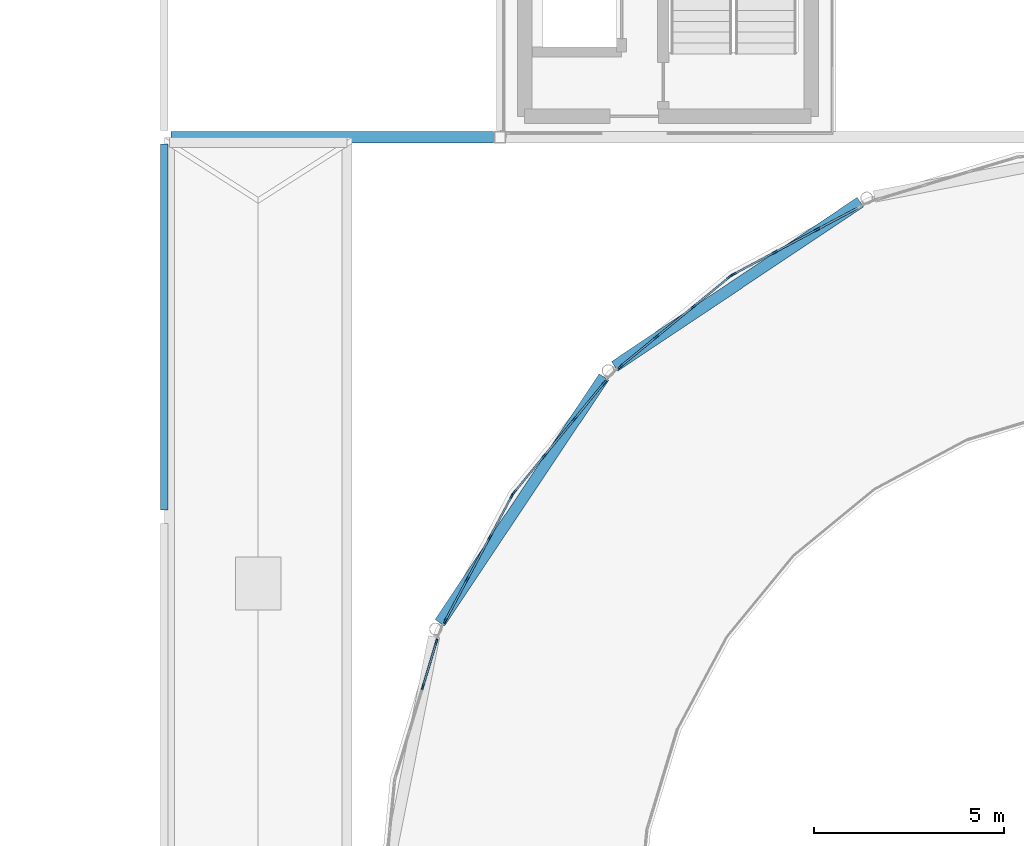
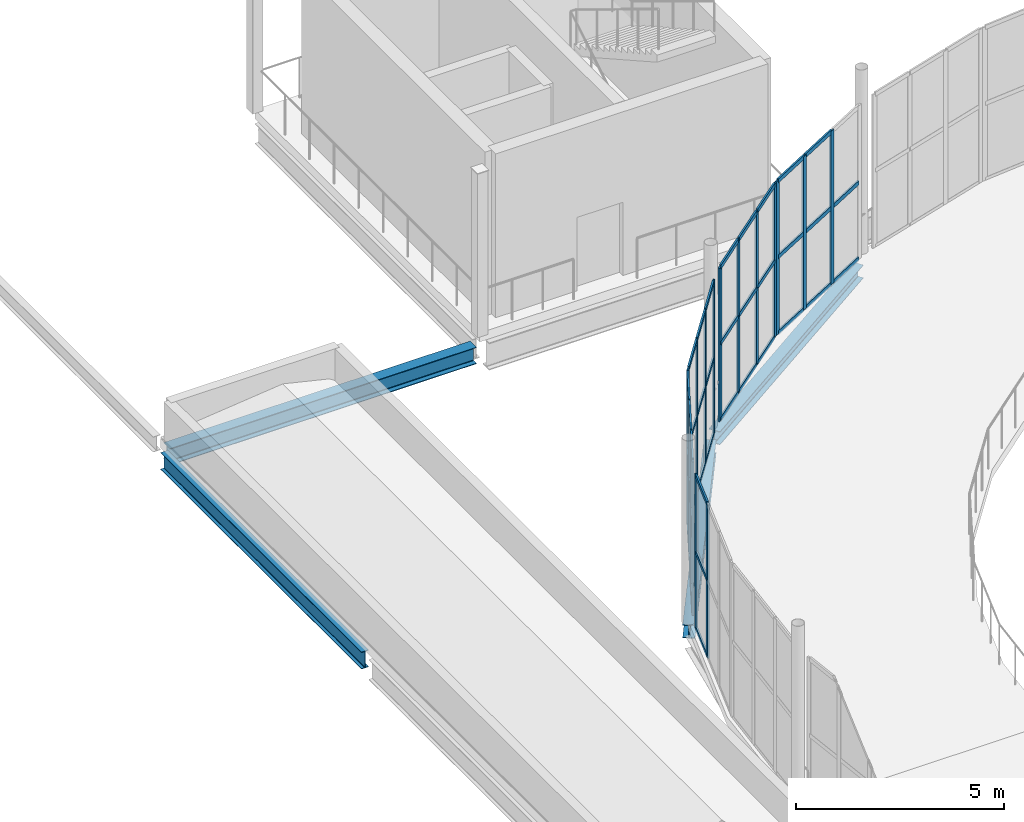
# One storey, part 38 of 112: 55 members, 4 beams, 5 elements without a shape of their own.
"""IFC4 building model written with IfcOpenShell, lengths in metres."""

import ifcopenshell
import ifcopenshell.guid

model = None  # the IFC model being written
_history = None  # IfcOwnerHistory: only IFC2X3 demands one
_inside = {}  # id of a spatial element -> (the spatial element, [elements in it])
_under = {}  # id of a project, library or spatial element -> (it, [spatial elements below it])
_declared = {}  # id of a project -> (the project, [libraries it declares])
_typed = {}  # id of a type object -> (the type object, [elements of that type])
_made_of = {}  # id of a material, layer set ... -> (it, [elements and type objects made of it])


def new_model(schema):
    """Start an empty IFC model of exactly this schema.

    Asked for "IFC4X3", IfcOpenShell would pick the latest addendum, in which some entities
    have other attributes; the version numbers below select the first issue.
    IFC2X3 requires an IfcOwnerHistory on every rooted entity: one is made here for all.
    """
    global model, _history
    if schema == "IFC4X3":
        model = ifcopenshell.file(schema_version=(4, 3, 0, 0))
    else:
        model = ifcopenshell.file(schema=schema)
    _inside.clear()
    _under.clear()
    _declared.clear()
    _typed.clear()
    _made_of.clear()
    _history = None
    if model.schema == "IFC2X3":
        org = make("IfcOrganization", Name="unknown")
        user = make(
            "IfcPersonAndOrganization",
            ThePerson=make("IfcPerson", FamilyName="unknown"),
            TheOrganization=org,
        )
        app = make(
            "IfcApplication",
            ApplicationDeveloper=org,
            Version="unknown",
            ApplicationFullName="unknown",
            ApplicationIdentifier="unknown",
        )
        _history = make(
            "IfcOwnerHistory",
            OwningUser=user,
            OwningApplication=app,
            ChangeAction="ADDED",
            CreationDate=0,
        )
    return model


def make(cls, **values):
    """One entity of the class cls with the attributes given. An attribute that is None is left unset."""
    return model.create_entity(
        cls, **{name: value for name, value in values.items() if value is not None}
    )


def rooted(cls, **values):
    """An entity with a GlobalId (a new one), such as an element, a storey or a relation."""
    return make(cls, GlobalId=ifcopenshell.guid.new(), OwnerHistory=_history, **values)


def si_unit(unit_type, name, prefix=None):
    """IfcSIUnit, for example si_unit("LENGTHUNIT", "METRE", prefix="MILLI")."""
    return make("IfcSIUnit", UnitType=unit_type, Prefix=prefix, Name=name)


def assignment(units):
    """IfcUnitAssignment: the units of a project."""
    return None if units is None else make("IfcUnitAssignment", Units=units)


def point(xyz):
    """IfcCartesianPoint."""
    return None if xyz is None else make("IfcCartesianPoint", Coordinates=xyz)


def direction(xyz):
    """IfcDirection."""
    return None if xyz is None else make("IfcDirection", DirectionRatios=xyz)


def frame(location, z_axis=None, x_axis=None):
    """IfcAxis2Placement3D, a coordinate frame: its origin and axes. An axis left out is left unset."""
    return make(
        "IfcAxis2Placement3D",
        Location=point(location),
        Axis=direction(z_axis),
        RefDirection=direction(x_axis),
    )


def frame_2d(location, x_axis=None):
    """IfcAxis2Placement2D, a coordinate frame in the plane: its origin and x axis."""
    return make(
        "IfcAxis2Placement2D", Location=point(location), RefDirection=direction(x_axis)
    )


def origin():
    """The frame at (0, 0, 0) with its axes left unset."""
    return frame((0.0, 0.0, 0.0))


def origin_2d():
    """The frame at (0, 0) in the plane with its x axis left unset."""
    return frame_2d((0.0, 0.0))


def place(relative_to, where):
    """IfcLocalPlacement: puts the frame where relative to a parent placement (None: the world)."""
    return make(
        "IfcLocalPlacement", PlacementRelTo=relative_to, RelativePlacement=where
    )


def context(
    kind, dimensions, precision=None, world=None, true_north=None, identifier=None
):
    """IfcGeometricRepresentationContext, for example the 3D "Model" context."""
    return make(
        "IfcGeometricRepresentationContext",
        ContextIdentifier=identifier,
        ContextType=kind,
        CoordinateSpaceDimension=dimensions,
        Precision=precision,
        WorldCoordinateSystem=world,
        TrueNorth=true_north,
    )


def subcontext(parent, identifier, kind, view, scale=None):
    """IfcGeometricRepresentationSubContext, for example "Body" below "Model"."""
    return make(
        "IfcGeometricRepresentationSubContext",
        ContextIdentifier=identifier,
        ContextType=kind,
        ParentContext=parent,
        TargetScale=scale,
        TargetView=view,
    )


def project(units=None, contexts=None):
    """IfcProject with its units and contexts."""
    return rooted(
        "IfcProject",
        Name="project",
        RepresentationContexts=contexts,
        UnitsInContext=assignment(units),
    )


def spatial(cls, under=None, at=None, **own):
    """A site, building, storey or space (cls), placed at a placement, below another one or the project."""
    s = rooted(cls, ObjectPlacement=at, **own)
    if under is not None:
        _under.setdefault(under.id(), (under, []))[1].append(s)
    return s


def profile(cls, at=None, kind="AREA", **sizes):
    """A parametric profile (cls). Its sizes go by their IFC names, for example OverallWidth=200.0."""
    return make(cls, ProfileType=kind, Position=at, **sizes)


def rectangle(**sizes):
    """IfcRectangleProfileDef."""
    return profile("IfcRectangleProfileDef", **sizes)


def i_section(**sizes):
    """IfcIShapeProfileDef."""
    return profile("IfcIShapeProfileDef", **sizes)


def extrude(swept, where, along, depth):
    """IfcExtrudedAreaSolid: the profile swept, set in the frame where, extruded along a direction by depth."""
    return make(
        "IfcExtrudedAreaSolid",
        SweptArea=swept,
        Position=where,
        ExtrudedDirection=direction(along),
        Depth=depth,
    )


def shape(context_of_items, identifier, shape_type, items):
    """IfcShapeRepresentation: the items that make up one representation, for example the "Body"."""
    return make(
        "IfcShapeRepresentation",
        ContextOfItems=context_of_items,
        RepresentationIdentifier=identifier,
        RepresentationType=shape_type,
        Items=items,
    )


def material(Name=None, Category=None):
    """IfcMaterial."""
    return make("IfcMaterial", Name=Name, Category=Category)


def layer(
    of_material, thickness, ventilated=None, Name=None, Category=None, Priority=None
):
    """IfcMaterialLayer: one layer of a wall or slab, of a material (None: an air gap)."""
    return make(
        "IfcMaterialLayer",
        Material=of_material,
        LayerThickness=thickness,
        IsVentilated=ventilated,
        Name=Name,
        Category=Category,
        Priority=Priority,
    )


def layer_set(layers, Name=None):
    """IfcMaterialLayerSet."""
    return make("IfcMaterialLayerSet", MaterialLayers=layers, LayerSetName=Name)


def material_profile(
    of_material, cross_section, Name=None, Category=None, Priority=None
):
    """IfcMaterialProfile: a cross section and its material."""
    return make(
        "IfcMaterialProfile",
        Name=Name,
        Material=of_material,
        Profile=cross_section,
        Priority=Priority,
        Category=Category,
    )


def profile_set(profiles, Name=None, composite=None):
    """IfcMaterialProfileSet."""
    return make(
        "IfcMaterialProfileSet",
        Name=Name,
        MaterialProfiles=profiles,
        CompositeProfile=composite,
    )


def made_of(thing, what):
    """Note that an element or type object is made of a material, layer set ...; save() writes the relation."""
    if what is not None:
        _made_of.setdefault(what.id(), (what, []))[1].append(thing)
    return thing


def type_object(cls, material=None, **own):
    """A type object (cls), such as IfcWallType, which elements share."""
    return made_of(rooted(cls, **own), material)


def element(
    cls,
    number,
    at=None,
    inside=None,
    cuts=None,
    type_object=None,
    material=None,
    context=None,
    identifier="Body",
    shape_type=None,
    held_by="IfcProductDefinitionShape",
    body=None,
    shapes=None,
    **own,
):
    """One element of the class cls, such as IfcWall. Its Tag is "e" and its number.

    at: its placement. inside: the storey or other place that contains it. cuts: it is an
    opening in that element (IfcRelVoidsElement). A single representation is given by context,
    identifier, shape_type and body (its items); several are given by shapes. held_by: the class
    of the entity that holds the representations. save() writes the other relations.
    """
    e = rooted(cls, Tag="e%d" % number, ObjectPlacement=at, **own)
    if body is not None:
        shapes = [shape(context, identifier, shape_type, body)]
    if shapes is not None:
        e.Representation = make(held_by, Representations=shapes)
    if inside is not None:
        _inside.setdefault(inside.id(), (inside, []))[1].append(e)
    if cuts is not None:
        rooted(
            "IfcRelVoidsElement", RelatingBuildingElement=cuts, RelatedOpeningElement=e
        )
    if type_object is not None:
        _typed.setdefault(type_object.id(), (type_object, []))[1].append(e)
    return made_of(e, material)


def aggregate(whole, parts):
    """IfcRelAggregates: a whole, such as a stair, and the parts it consists of."""
    return rooted("IfcRelAggregates", RelatingObject=whole, RelatedObjects=parts)


def save(model, path):
    """Write the relations noted so far, then the file.

    IfcRelAggregates (storeys below a building ...), IfcRelContainedInSpatialStructure (elements
    in a storey), IfcRelDefinesByType, IfcRelAssociatesMaterial and IfcRelDeclares: one each for
    every whole, place, type object, material and project.
    """
    for whole, parts in _under.values():
        aggregate(whole, parts)
    for where, things in _inside.values():
        rooted(
            "IfcRelContainedInSpatialStructure",
            RelatedElements=things,
            RelatingStructure=where,
        )
    for kind, things in _typed.values():
        rooted("IfcRelDefinesByType", RelatedObjects=things, RelatingType=kind)
    for what, things in _made_of.values():
        rooted("IfcRelAssociatesMaterial", RelatedObjects=things, RelatingMaterial=what)
    for by, libraries in _declared.values():
        rooted("IfcRelDeclares", RelatingContext=by, RelatedDefinitions=libraries)
    model.write(path)


model = new_model("IFC4")

# Units and contexts
model_context = context("Model", 3, precision=1e-05, world=origin(), true_north=direction((0.0, 1.0)))
body_context = subcontext(model_context, "Body", "Model", "MODEL_VIEW")
ifc_project = project(units=[si_unit("LENGTHUNIT", "METRE"), si_unit("AREAUNIT", "SQUARE_METRE"), si_unit("VOLUMEUNIT", "CUBIC_METRE"), si_unit("PLANEANGLEUNIT", "RADIAN"), si_unit("MASSUNIT", "GRAM", prefix="KILO")], contexts=[model_context])

# Site, building, storey
site_placement = place(None, origin())
site = spatial("IfcSite", under=ifc_project, at=site_placement, CompositionType="ELEMENT")
building_placement = place(site_placement, origin())
building = spatial("IfcBuilding", under=site, at=building_placement, Name="Yeouljin Market Hall", CompositionType="ELEMENT")
storey_placement = place(building_placement, frame((0.0, 0.0, 6.0)))
storey = spatial("IfcBuildingStorey", under=building, at=storey_placement, Name="L01", CompositionType="ELEMENT", Elevation=6.0)

# Beams
ifc_material_1 = material(Name="Steel SM355", Category="steel")
ifc_material_profile_1 = material_profile(ifc_material_1, i_section(OverallWidth=0.300048828125, OverallDepth=0.389892578125, WebThickness=0.010009765625, FlangeThickness=0.01611328125, FilletRadius=0.01806640625, at=origin_2d()), Name="H-390x300x10x16")
ifc_profile_set_1 = profile_set([ifc_material_profile_1], Name="Steel SM355")
beam_type_1 = type_object("IfcBeamType", Name="Beam_H-390x300x10x16", PredefinedType="BEAM", material=ifc_profile_set_1)
for number, where, z_axis, x_axis, name in (
    (1, (16.111328125, 65.205322265625, -0.43994140625), (0.55559698595, 0.831451735943, 0.0), (-0.831451735943, 0.55559698595, 0.0), "Apse ring beam L01 247"),
    (2, (20.7197265625, 71.962158203125, -0.43994140625), (0.831466218431, 0.555575312274, 0.0), (-0.555575312274, 0.831466218431, 0.0), "Apse ring beam L01 248"),
):
    element("IfcBeam", number, at=place(storey_placement, frame(where, z_axis=z_axis, x_axis=x_axis)), inside=storey, type_object=beam_type_1, Name=name, PredefinedType="BEAM", context=body_context, shape_type="SweptSolid", body=[
        extrude(i_section(OverallWidth=0.300048828125, OverallDepth=0.389892578125, WebThickness=0.010009765625, FlangeThickness=0.01611328125, FilletRadius=0.01806640625, at=origin_2d()), origin(), (0.0, 0.0, 1.0), 7.787353515625),
    ])
ifc_material_2 = material(Name="Steel SM355", Category="steel")
ifc_material_profile_2 = material_profile(ifc_material_2, i_section(OverallWidth=0.199951171875, OverallDepth=0.5, WebThickness=0.010009765625, FlangeThickness=0.01611328125, FilletRadius=0.02001953125, at=origin_2d()), Name="H-500x200x10x16")
ifc_profile_set_2 = profile_set([ifc_material_profile_2], Name="Steel SM355")
beam_type_2 = type_object("IfcBeamType", Name="Beam_H-500x200x10x16", PredefinedType="BEAM", material=ifc_profile_set_2)
beam_1_placement = place(storey_placement, frame((8.85009765625, 68.175048828125, -0.514892578125), z_axis=(0.0, 1.0, 0.0), x_axis=(-1.0, 0.0, 0.0)))
element("IfcBeam", 3, at=beam_1_placement, inside=storey, type_object=beam_type_2, Name="Primary beam BM-L01-Y135", PredefinedType="BEAM", context=body_context, shape_type="SweptSolid", body=[
    extrude(i_section(OverallWidth=0.199951171875, OverallDepth=0.5, WebThickness=0.010009765625, FlangeThickness=0.01611328125, FilletRadius=0.02001953125, at=origin_2d()), origin(), (0.0, 0.0, 1.0), 9.64990234375),
])

# Curtain wall, members
ifc_material_3 = material(Name="Thermally Broken Aluminium", Category="aluminium")
ifc_layer = layer(ifc_material_3, 0.179931640625)
ifc_layer_set = layer_set([ifc_layer], Name="Thermally Broken Aluminium")
curtain_wall_type = type_object("IfcCurtainWallType", Name="CW_ApseCurved_System", PredefinedType="USERDEFINED", material=ifc_layer_set)
curtain_wall_1_placement = place(storey_placement, origin())
curtain_wall_1 = element("IfcCurtainWall", 4, at=curtain_wall_1_placement, inside=storey, type_object=curtain_wall_type, Name="Curtain wall CW-AP-WL01-10", ObjectType="CURTAIN WALL", PredefinedType="USERDEFINED")
ifc_material_4 = material(Name="Thermally Broken Aluminium", Category="aluminium")
ifc_material_profile_3 = material_profile(ifc_material_4, rectangle(XDim=0.048095703125, YDim=0.14990234375, at=origin_2d()), Name="CW-MULL-48x150")
ifc_profile_set_3 = profile_set([ifc_material_profile_3], Name="Thermally Broken Aluminium")
member_type_1 = type_object("IfcMemberType", Name="CWMullion_48x150", PredefinedType="MULLION", material=ifc_profile_set_3)
member_1_placement = place(storey_placement, frame((15.6630859375, 63.51904296875, 0.0), z_axis=(0.0, 0.0, 1.0), x_axis=(-0.95693988447, 0.290286164863, 0.0)))
member_1 = element("IfcMember", 5, at=member_1_placement, type_object=member_type_1, Name="CW-03 mullion 3", PredefinedType="MULLION", context=body_context, shape_type="SweptSolid", body=[
    extrude(rectangle(XDim=0.048095703125, YDim=0.14990234375, at=origin_2d()), origin(), (0.0, 0.0, 1.0), 4.5),
])
member_2_placement = place(storey_placement, frame((16.021240234375, 64.699462890625, 0.0), z_axis=(0.0, 0.0, 1.0), x_axis=(-0.95693988447, 0.290286164863, 0.0)))
member_2 = element("IfcMember", 6, at=member_2_placement, type_object=member_type_1, Name="CW-03 mullion 4", PredefinedType="MULLION", context=body_context, shape_type="SweptSolid", body=[
    extrude(rectangle(XDim=0.048095703125, YDim=0.14990234375, at=origin_2d()), origin(), (0.0, 0.0, 1.0), 4.5),
])

curtain_wall_2_placement = place(storey_placement, origin())
curtain_wall_2 = element("IfcCurtainWall", 7, at=curtain_wall_2_placement, inside=storey, type_object=curtain_wall_type, Name="Curtain wall CW-AP-WL01-11", ObjectType="CURTAIN WALL", PredefinedType="USERDEFINED")
member_3_placement = place(storey_placement, frame((16.252685546875, 65.258544921875, 0.0), z_axis=(0.0, 0.0, 1.0), x_axis=(-0.881931478712, 0.471377626598, 0.0)))
member_3 = element("IfcMember", 8, at=member_3_placement, type_object=member_type_1, Name="CW-03 mullion 1", PredefinedType="MULLION", context=body_context, shape_type="SweptSolid", body=[
    extrude(rectangle(XDim=0.048095703125, YDim=0.14990234375, at=origin_2d()), origin(), (0.0, 0.0, 1.0), 4.5),
])
member_4_placement = place(storey_placement, frame((16.834228515625, 66.346435546875, 0.0), z_axis=(0.0, 0.0, 1.0), x_axis=(-0.881931478712, 0.471377626598, 0.0)))
member_4 = element("IfcMember", 9, at=member_4_placement, type_object=member_type_1, Name="CW-03 mullion 2", PredefinedType="MULLION", context=body_context, shape_type="SweptSolid", body=[
    extrude(rectangle(XDim=0.048095703125, YDim=0.14990234375, at=origin_2d()), origin(), (0.0, 0.0, 1.0), 4.5),
])
member_5_placement = place(storey_placement, frame((17.42724609375, 67.455810546875, 0.0), z_axis=(0.0, 0.0, 1.0), x_axis=(-0.881931478712, 0.471377626598, 0.0)))
member_5 = element("IfcMember", 10, at=member_5_placement, type_object=member_type_1, Name="CW-03 mullion 3", PredefinedType="MULLION", context=body_context, shape_type="SweptSolid", body=[
    extrude(rectangle(XDim=0.048095703125, YDim=0.14990234375, at=origin_2d()), origin(), (0.0, 0.0, 1.0), 4.5),
])
member_6_placement = place(storey_placement, frame((18.0087890625, 68.5439453125, 0.0), z_axis=(0.0, 0.0, 1.0), x_axis=(-0.881931478712, 0.471377626598, 0.0)))
member_6 = element("IfcMember", 11, at=member_6_placement, type_object=member_type_1, Name="CW-03 mullion 4", PredefinedType="MULLION", context=body_context, shape_type="SweptSolid", body=[
    extrude(rectangle(XDim=0.048095703125, YDim=0.14990234375, at=origin_2d()), origin(), (0.0, 0.0, 1.0), 4.5),
])

curtain_wall_3_placement = place(storey_placement, origin())
curtain_wall_3 = element("IfcCurtainWall", 12, at=curtain_wall_3_placement, inside=storey, type_object=curtain_wall_type, Name="Curtain wall CW-AP-WL01-12", ObjectType="CURTAIN WALL", PredefinedType="USERDEFINED")
member_7_placement = place(storey_placement, frame((18.07958984375, 68.649658203125, 0.0), z_axis=(0.0, 0.0, 1.0), x_axis=(-0.773017717982, 0.634384432096, 0.0)))
member_7 = element("IfcMember", 13, at=member_7_placement, type_object=member_type_1, Name="CW-03 mullion 1", PredefinedType="MULLION", context=body_context, shape_type="SweptSolid", body=[
    extrude(rectangle(XDim=0.048095703125, YDim=0.14990234375, at=origin_2d()), origin(), (0.0, 0.0, 1.0), 4.5),
])
member_8_placement = place(storey_placement, frame((18.8623046875, 69.603515625, 0.0), z_axis=(0.0, 0.0, 1.0), x_axis=(-0.773017717982, 0.634384432096, 0.0)))
member_8 = element("IfcMember", 14, at=member_8_placement, type_object=member_type_1, Name="CW-03 mullion 2", PredefinedType="MULLION", context=body_context, shape_type="SweptSolid", body=[
    extrude(rectangle(XDim=0.048095703125, YDim=0.14990234375, at=origin_2d()), origin(), (0.0, 0.0, 1.0), 4.5),
])
member_9_placement = place(storey_placement, frame((19.66015625, 70.57568359375, 0.0), z_axis=(0.0, 0.0, 1.0), x_axis=(-0.773017717982, 0.634384432096, 0.0)))
member_9 = element("IfcMember", 15, at=member_9_placement, type_object=member_type_1, Name="CW-03 mullion 3", PredefinedType="MULLION", context=body_context, shape_type="SweptSolid", body=[
    extrude(rectangle(XDim=0.048095703125, YDim=0.14990234375, at=origin_2d()), origin(), (0.0, 0.0, 1.0), 4.5),
])
member_10_placement = place(storey_placement, frame((20.44287109375, 71.529541015625, 0.0), z_axis=(0.0, 0.0, 1.0), x_axis=(-0.773017717982, 0.634384432096, 0.0)))
member_10 = element("IfcMember", 16, at=member_10_placement, type_object=member_type_1, Name="CW-03 mullion 4", PredefinedType="MULLION", context=body_context, shape_type="SweptSolid", body=[
    extrude(rectangle(XDim=0.048095703125, YDim=0.14990234375, at=origin_2d()), origin(), (0.0, 0.0, 1.0), 4.5),
])

curtain_wall_4_placement = place(storey_placement, origin())
curtain_wall_4 = element("IfcCurtainWall", 17, at=curtain_wall_4_placement, inside=storey, type_object=curtain_wall_type, Name="Curtain wall CW-AP-WL01-13", ObjectType="CURTAIN WALL", PredefinedType="USERDEFINED")
member_11_placement = place(storey_placement, frame((20.87060546875, 71.957275390625, 0.0), z_axis=(0.0, 0.0, 1.0), x_axis=(-0.634384432096, 0.773017717982, 0.0)))
member_11 = element("IfcMember", 18, at=member_11_placement, type_object=member_type_1, Name="CW-03 mullion 1", PredefinedType="MULLION", context=body_context, shape_type="SweptSolid", body=[
    extrude(rectangle(XDim=0.048095703125, YDim=0.14990234375, at=origin_2d()), origin(), (0.0, 0.0, 1.0), 4.5),
])
member_12_placement = place(storey_placement, frame((21.82421875, 72.739990234375, 0.0), z_axis=(0.0, 0.0, 1.0), x_axis=(-0.634384432096, 0.773017717982, 0.0)))
member_12 = element("IfcMember", 19, at=member_12_placement, type_object=member_type_1, Name="CW-03 mullion 2", PredefinedType="MULLION", context=body_context, shape_type="SweptSolid", body=[
    extrude(rectangle(XDim=0.048095703125, YDim=0.14990234375, at=origin_2d()), origin(), (0.0, 0.0, 1.0), 4.5),
])
member_13_placement = place(storey_placement, frame((22.796630859375, 73.537841796875, 0.0), z_axis=(0.0, 0.0, 1.0), x_axis=(-0.634384432096, 0.773017717982, 0.0)))
member_13 = element("IfcMember", 20, at=member_13_placement, type_object=member_type_1, Name="CW-03 mullion 3", PredefinedType="MULLION", context=body_context, shape_type="SweptSolid", body=[
    extrude(rectangle(XDim=0.048095703125, YDim=0.14990234375, at=origin_2d()), origin(), (0.0, 0.0, 1.0), 4.5),
])
member_14_placement = place(storey_placement, frame((23.750244140625, 74.320556640625, 0.0), z_axis=(0.0, 0.0, 1.0), x_axis=(-0.634384432096, 0.773017717982, 0.0)))
member_14 = element("IfcMember", 21, at=member_14_placement, type_object=member_type_1, Name="CW-03 mullion 4", PredefinedType="MULLION", context=body_context, shape_type="SweptSolid", body=[
    extrude(rectangle(XDim=0.048095703125, YDim=0.14990234375, at=origin_2d()), origin(), (0.0, 0.0, 1.0), 4.5),
])

curtain_wall_5_placement = place(storey_placement, origin())
curtain_wall_5 = element("IfcCurtainWall", 22, at=curtain_wall_5_placement, inside=storey, type_object=curtain_wall_type, Name="Curtain wall CW-AP-WL01-14", ObjectType="CURTAIN WALL", PredefinedType="USERDEFINED")
member_15_placement = place(storey_placement, frame((23.856201171875, 74.391357421875, 0.0), z_axis=(0.0, 0.0, 1.0), x_axis=(-0.471377626598, 0.881931478712, 0.0)))
member_15 = element("IfcMember", 23, at=member_15_placement, type_object=member_type_1, Name="CW-03 mullion 1", PredefinedType="MULLION", context=body_context, shape_type="SweptSolid", body=[
    extrude(rectangle(XDim=0.048095703125, YDim=0.14990234375, at=origin_2d()), origin(), (0.0, 0.0, 1.0), 4.5),
])
member_16_placement = place(storey_placement, frame((24.9443359375, 74.972900390625, 0.0), z_axis=(0.0, 0.0, 1.0), x_axis=(-0.471377626598, 0.881931478712, 0.0)))
member_16 = element("IfcMember", 24, at=member_16_placement, type_object=member_type_1, Name="CW-03 mullion 2", PredefinedType="MULLION", context=body_context, shape_type="SweptSolid", body=[
    extrude(rectangle(XDim=0.048095703125, YDim=0.14990234375, at=origin_2d()), origin(), (0.0, 0.0, 1.0), 4.5),
])
member_17_placement = place(storey_placement, frame((26.053466796875, 75.565673828125, 0.0), z_axis=(0.0, 0.0, 1.0), x_axis=(-0.471377626598, 0.881931478712, 0.0)))
member_17 = element("IfcMember", 25, at=member_17_placement, type_object=member_type_1, Name="CW-03 mullion 3", PredefinedType="MULLION", context=body_context, shape_type="SweptSolid", body=[
    extrude(rectangle(XDim=0.048095703125, YDim=0.14990234375, at=origin_2d()), origin(), (0.0, 0.0, 1.0), 4.5),
])

# Member
ifc_material_5 = material(Name="Thermally Broken Aluminium", Category="aluminium")
ifc_material_profile_4 = material_profile(ifc_material_5, rectangle(XDim=0.048095703125, YDim=0.1201171875, at=origin_2d()), Name="CW-TRAN-48x120")
ifc_profile_set_4 = profile_set([ifc_material_profile_4], Name="Thermally Broken Aluminium")
member_type_2 = type_object("IfcMemberType", Name="CWTransom_48x120", PredefinedType="USERDEFINED", material=ifc_profile_set_4)
member_18_placement = place(storey_placement, frame((15.669921875, 63.5419921875, 0.02392578125), z_axis=(0.290350291671, 0.95692042936, 0.0), x_axis=(-0.95692042936, 0.290350291671, 0.0)))
member_18 = element("IfcMember", 26, at=member_18_placement, type_object=member_type_2, Name="CW-03 transom 3.1", ObjectType="TRANSOM", PredefinedType="USERDEFINED", context=body_context, shape_type="SweptSolid", body=[
    extrude(rectangle(XDim=0.048095703125, YDim=0.1201171875, at=origin_2d()), origin(), (0.0, 0.0, 1.0), 1.185546875),
])

member_19_placement = place(storey_placement, frame((15.669921875, 63.5419921875, 2.25), z_axis=(0.290350291671, 0.95692042936, 0.0), x_axis=(-0.95692042936, 0.290350291671, 0.0)))
member_19 = element("IfcMember", 27, at=member_19_placement, type_object=member_type_2, Name="CW-03 transom 3.2", ObjectType="TRANSOM", PredefinedType="USERDEFINED", context=body_context, shape_type="SweptSolid", body=[
    extrude(rectangle(XDim=0.048095703125, YDim=0.1201171875, at=origin_2d()), origin(), (0.0, 0.0, 1.0), 1.185546875),
])

member_20_placement = place(storey_placement, frame((15.669921875, 63.5419921875, 4.47607421875), z_axis=(0.290350291671, 0.95692042936, 0.0), x_axis=(-0.95692042936, 0.290350291671, 0.0)))
member_20 = element("IfcMember", 28, at=member_20_placement, type_object=member_type_2, Name="CW-03 transom 3.3", ObjectType="TRANSOM", PredefinedType="USERDEFINED", context=body_context, shape_type="SweptSolid", body=[
    extrude(rectangle(XDim=0.048095703125, YDim=0.1201171875, at=origin_2d()), origin(), (0.0, 0.0, 1.0), 1.185546875),
])

aggregate(curtain_wall_1, [member_1, member_2, member_18, member_19, member_20])

member_21_placement = place(storey_placement, frame((16.263916015625, 65.279541015625, 0.02392578125), z_axis=(0.471421441442, 0.881908059011, 0.0), x_axis=(-0.881908059011, 0.471421441442, 0.0)))
member_21 = element("IfcMember", 29, at=member_21_placement, type_object=member_type_2, Name="CW-03 transom 1.1", ObjectType="TRANSOM", PredefinedType="USERDEFINED", context=body_context, shape_type="SweptSolid", body=[
    extrude(rectangle(XDim=0.048095703125, YDim=0.1201171875, at=origin_2d()), origin(), (0.0, 0.0, 1.0), 1.18603515625),
])

member_22_placement = place(storey_placement, frame((16.263916015625, 65.279541015625, 2.25), z_axis=(0.471421441442, 0.881908059011, 0.0), x_axis=(-0.881908059011, 0.471421441442, 0.0)))
member_22 = element("IfcMember", 30, at=member_22_placement, type_object=member_type_2, Name="CW-03 transom 1.2", ObjectType="TRANSOM", PredefinedType="USERDEFINED", context=body_context, shape_type="SweptSolid", body=[
    extrude(rectangle(XDim=0.048095703125, YDim=0.1201171875, at=origin_2d()), origin(), (0.0, 0.0, 1.0), 1.18603515625),
])

member_23_placement = place(storey_placement, frame((16.263916015625, 65.279541015625, 4.47607421875), z_axis=(0.471421441442, 0.881908059011, 0.0), x_axis=(-0.881908059011, 0.471421441442, 0.0)))
member_23 = element("IfcMember", 31, at=member_23_placement, type_object=member_type_2, Name="CW-03 transom 1.3", ObjectType="TRANSOM", PredefinedType="USERDEFINED", context=body_context, shape_type="SweptSolid", body=[
    extrude(rectangle(XDim=0.048095703125, YDim=0.1201171875, at=origin_2d()), origin(), (0.0, 0.0, 1.0), 1.18603515625),
])

member_24_placement = place(storey_placement, frame((16.845458984375, 66.36767578125, 0.02392578125), z_axis=(0.471425984611, 0.881905630458, 0.0), x_axis=(-0.881905630458, 0.471425984611, 0.0)))
member_24 = element("IfcMember", 32, at=member_24_placement, type_object=member_type_2, Name="CW-03 transom 2.1", ObjectType="TRANSOM", PredefinedType="USERDEFINED", context=body_context, shape_type="SweptSolid", body=[
    extrude(rectangle(XDim=0.048095703125, YDim=0.1201171875, at=origin_2d()), origin(), (0.0, 0.0, 1.0), 1.209716796875),
])

member_25_placement = place(storey_placement, frame((16.845458984375, 66.36767578125, 2.25), z_axis=(0.471425984611, 0.881905630458, 0.0), x_axis=(-0.881905630458, 0.471425984611, 0.0)))
member_25 = element("IfcMember", 33, at=member_25_placement, type_object=member_type_2, Name="CW-03 transom 2.2", ObjectType="TRANSOM", PredefinedType="USERDEFINED", context=body_context, shape_type="SweptSolid", body=[
    extrude(rectangle(XDim=0.048095703125, YDim=0.1201171875, at=origin_2d()), origin(), (0.0, 0.0, 1.0), 1.209716796875),
])

member_26_placement = place(storey_placement, frame((16.845458984375, 66.36767578125, 4.47607421875), z_axis=(0.471425984611, 0.881905630458, 0.0), x_axis=(-0.881905630458, 0.471425984611, 0.0)))
member_26 = element("IfcMember", 34, at=member_26_placement, type_object=member_type_2, Name="CW-03 transom 2.3", ObjectType="TRANSOM", PredefinedType="USERDEFINED", context=body_context, shape_type="SweptSolid", body=[
    extrude(rectangle(XDim=0.048095703125, YDim=0.1201171875, at=origin_2d()), origin(), (0.0, 0.0, 1.0), 1.209716796875),
])

member_27_placement = place(storey_placement, frame((17.4384765625, 67.47705078125, 0.02392578125), z_axis=(0.471346894989, 0.881947903555, 0.0), x_axis=(-0.881947903555, 0.471346894989, 0.0)))
member_27 = element("IfcMember", 35, at=member_27_placement, type_object=member_type_2, Name="CW-03 transom 3.1", ObjectType="TRANSOM", PredefinedType="USERDEFINED", context=body_context, shape_type="SweptSolid", body=[
    extrude(rectangle(XDim=0.048095703125, YDim=0.1201171875, at=origin_2d()), origin(), (0.0, 0.0, 1.0), 1.185546875),
])

member_28_placement = place(storey_placement, frame((17.4384765625, 67.47705078125, 2.25), z_axis=(0.471346894989, 0.881947903555, 0.0), x_axis=(-0.881947903555, 0.471346894989, 0.0)))
member_28 = element("IfcMember", 36, at=member_28_placement, type_object=member_type_2, Name="CW-03 transom 3.2", ObjectType="TRANSOM", PredefinedType="USERDEFINED", context=body_context, shape_type="SweptSolid", body=[
    extrude(rectangle(XDim=0.048095703125, YDim=0.1201171875, at=origin_2d()), origin(), (0.0, 0.0, 1.0), 1.185546875),
])

member_29_placement = place(storey_placement, frame((17.4384765625, 67.47705078125, 4.47607421875), z_axis=(0.471346894989, 0.881947903555, 0.0), x_axis=(-0.881947903555, 0.471346894989, 0.0)))
member_29 = element("IfcMember", 37, at=member_29_placement, type_object=member_type_2, Name="CW-03 transom 3.3", ObjectType="TRANSOM", PredefinedType="USERDEFINED", context=body_context, shape_type="SweptSolid", body=[
    extrude(rectangle(XDim=0.048095703125, YDim=0.1201171875, at=origin_2d()), origin(), (0.0, 0.0, 1.0), 1.185546875),
])

aggregate(curtain_wall_2, [member_3, member_4, member_5, member_6, member_21, member_22, member_23, member_24, member_25, member_26, member_27, member_28, member_29])

member_30_placement = place(storey_placement, frame((18.0947265625, 68.668212890625, 0.02392578125), z_axis=(0.634313456748, 0.773075959133, 0.0), x_axis=(-0.773075959133, 0.634313456748, 0.0)))
member_30 = element("IfcMember", 38, at=member_30_placement, type_object=member_type_2, Name="CW-03 transom 1.1", ObjectType="TRANSOM", PredefinedType="USERDEFINED", context=body_context, shape_type="SweptSolid", body=[
    extrude(rectangle(XDim=0.048095703125, YDim=0.1201171875, at=origin_2d()), origin(), (0.0, 0.0, 1.0), 1.185791015625),
])

member_31_placement = place(storey_placement, frame((18.0947265625, 68.668212890625, 2.25), z_axis=(0.634313456748, 0.773075959133, 0.0), x_axis=(-0.773075959133, 0.634313456748, 0.0)))
member_31 = element("IfcMember", 39, at=member_31_placement, type_object=member_type_2, Name="CW-03 transom 1.2", ObjectType="TRANSOM", PredefinedType="USERDEFINED", context=body_context, shape_type="SweptSolid", body=[
    extrude(rectangle(XDim=0.048095703125, YDim=0.1201171875, at=origin_2d()), origin(), (0.0, 0.0, 1.0), 1.185791015625),
])

member_32_placement = place(storey_placement, frame((18.0947265625, 68.668212890625, 4.47607421875), z_axis=(0.634313456748, 0.773075959133, 0.0), x_axis=(-0.773075959133, 0.634313456748, 0.0)))
member_32 = element("IfcMember", 40, at=member_32_placement, type_object=member_type_2, Name="CW-03 transom 1.3", ObjectType="TRANSOM", PredefinedType="USERDEFINED", context=body_context, shape_type="SweptSolid", body=[
    extrude(rectangle(XDim=0.048095703125, YDim=0.1201171875, at=origin_2d()), origin(), (0.0, 0.0, 1.0), 1.185791015625),
])

member_33_placement = place(storey_placement, frame((18.87744140625, 69.6220703125, 0.02392578125), z_axis=(0.634369190557, 0.773030225846, 0.0), x_axis=(-0.773030225846, 0.634369190557, 0.0)))
member_33 = element("IfcMember", 41, at=member_33_placement, type_object=member_type_2, Name="CW-03 transom 2.1", ObjectType="TRANSOM", PredefinedType="USERDEFINED", context=body_context, shape_type="SweptSolid", body=[
    extrude(rectangle(XDim=0.048095703125, YDim=0.1201171875, at=origin_2d()), origin(), (0.0, 0.0, 1.0), 1.209716796875),
])

member_34_placement = place(storey_placement, frame((18.87744140625, 69.6220703125, 2.25), z_axis=(0.634369190557, 0.773030225846, 0.0), x_axis=(-0.773030225846, 0.634369190557, 0.0)))
member_34 = element("IfcMember", 42, at=member_34_placement, type_object=member_type_2, Name="CW-03 transom 2.2", ObjectType="TRANSOM", PredefinedType="USERDEFINED", context=body_context, shape_type="SweptSolid", body=[
    extrude(rectangle(XDim=0.048095703125, YDim=0.1201171875, at=origin_2d()), origin(), (0.0, 0.0, 1.0), 1.209716796875),
])

member_35_placement = place(storey_placement, frame((18.87744140625, 69.6220703125, 4.47607421875), z_axis=(0.634369190557, 0.773030225846, 0.0), x_axis=(-0.773030225846, 0.634369190557, 0.0)))
member_35 = element("IfcMember", 43, at=member_35_placement, type_object=member_type_2, Name="CW-03 transom 2.3", ObjectType="TRANSOM", PredefinedType="USERDEFINED", context=body_context, shape_type="SweptSolid", body=[
    extrude(rectangle(XDim=0.048095703125, YDim=0.1201171875, at=origin_2d()), origin(), (0.0, 0.0, 1.0), 1.209716796875),
])

member_36_placement = place(storey_placement, frame((19.67529296875, 70.59423828125, 0.02392578125), z_axis=(0.634313456748, 0.773075959133, 0.0), x_axis=(-0.773075959133, 0.634313456748, 0.0)))
member_36 = element("IfcMember", 44, at=member_36_placement, type_object=member_type_2, Name="CW-03 transom 3.1", ObjectType="TRANSOM", PredefinedType="USERDEFINED", context=body_context, shape_type="SweptSolid", body=[
    extrude(rectangle(XDim=0.048095703125, YDim=0.1201171875, at=origin_2d()), origin(), (0.0, 0.0, 1.0), 1.185791015625),
])

member_37_placement = place(storey_placement, frame((19.67529296875, 70.59423828125, 2.25), z_axis=(0.634313456748, 0.773075959133, 0.0), x_axis=(-0.773075959133, 0.634313456748, 0.0)))
member_37 = element("IfcMember", 45, at=member_37_placement, type_object=member_type_2, Name="CW-03 transom 3.2", ObjectType="TRANSOM", PredefinedType="USERDEFINED", context=body_context, shape_type="SweptSolid", body=[
    extrude(rectangle(XDim=0.048095703125, YDim=0.1201171875, at=origin_2d()), origin(), (0.0, 0.0, 1.0), 1.185791015625),
])

member_38_placement = place(storey_placement, frame((19.67529296875, 70.59423828125, 4.47607421875), z_axis=(0.634313456748, 0.773075959133, 0.0), x_axis=(-0.773075959133, 0.634313456748, 0.0)))
member_38 = element("IfcMember", 46, at=member_38_placement, type_object=member_type_2, Name="CW-03 transom 3.3", ObjectType="TRANSOM", PredefinedType="USERDEFINED", context=body_context, shape_type="SweptSolid", body=[
    extrude(rectangle(XDim=0.048095703125, YDim=0.1201171875, at=origin_2d()), origin(), (0.0, 0.0, 1.0), 1.185791015625),
])

aggregate(curtain_wall_3, [member_7, member_8, member_9, member_10, member_30, member_31, member_32, member_33, member_34, member_35, member_36, member_37, member_38])

member_39_placement = place(storey_placement, frame((20.88916015625, 71.972412109375, 0.02392578125), z_axis=(0.77299310317, 0.634414424845, 0.0), x_axis=(-0.634414424845, 0.77299310317, 0.0)))
member_39 = element("IfcMember", 47, at=member_39_placement, type_object=member_type_2, Name="CW-03 transom 1.1", ObjectType="TRANSOM", PredefinedType="USERDEFINED", context=body_context, shape_type="SweptSolid", body=[
    extrude(rectangle(XDim=0.048095703125, YDim=0.1201171875, at=origin_2d()), origin(), (0.0, 0.0, 1.0), 1.185546875),
])

member_40_placement = place(storey_placement, frame((20.88916015625, 71.972412109375, 2.25), z_axis=(0.77299310317, 0.634414424845, 0.0), x_axis=(-0.634414424845, 0.77299310317, 0.0)))
member_40 = element("IfcMember", 48, at=member_40_placement, type_object=member_type_2, Name="CW-03 transom 1.2", ObjectType="TRANSOM", PredefinedType="USERDEFINED", context=body_context, shape_type="SweptSolid", body=[
    extrude(rectangle(XDim=0.048095703125, YDim=0.1201171875, at=origin_2d()), origin(), (0.0, 0.0, 1.0), 1.185546875),
])

member_41_placement = place(storey_placement, frame((20.88916015625, 71.972412109375, 4.47607421875), z_axis=(0.77299310317, 0.634414424845, 0.0), x_axis=(-0.634414424845, 0.77299310317, 0.0)))
member_41 = element("IfcMember", 49, at=member_41_placement, type_object=member_type_2, Name="CW-03 transom 1.3", ObjectType="TRANSOM", PredefinedType="USERDEFINED", context=body_context, shape_type="SweptSolid", body=[
    extrude(rectangle(XDim=0.048095703125, YDim=0.1201171875, at=origin_2d()), origin(), (0.0, 0.0, 1.0), 1.185546875),
])

member_42_placement = place(storey_placement, frame((21.8427734375, 72.755126953125, 0.02392578125), z_axis=(0.773111430371, 0.634270223351, 0.0), x_axis=(-0.634270223351, 0.773111430371, 0.0)))
member_42 = element("IfcMember", 50, at=member_42_placement, type_object=member_type_2, Name="CW-03 transom 2.1", ObjectType="TRANSOM", PredefinedType="USERDEFINED", context=body_context, shape_type="SweptSolid", body=[
    extrude(rectangle(XDim=0.048095703125, YDim=0.1201171875, at=origin_2d()), origin(), (0.0, 0.0, 1.0), 1.209716796875),
])

member_43_placement = place(storey_placement, frame((21.8427734375, 72.755126953125, 2.25), z_axis=(0.773111430371, 0.634270223351, 0.0), x_axis=(-0.634270223351, 0.773111430371, 0.0)))
member_43 = element("IfcMember", 51, at=member_43_placement, type_object=member_type_2, Name="CW-03 transom 2.2", ObjectType="TRANSOM", PredefinedType="USERDEFINED", context=body_context, shape_type="SweptSolid", body=[
    extrude(rectangle(XDim=0.048095703125, YDim=0.1201171875, at=origin_2d()), origin(), (0.0, 0.0, 1.0), 1.209716796875),
])

member_44_placement = place(storey_placement, frame((21.8427734375, 72.755126953125, 4.47607421875), z_axis=(0.773111430371, 0.634270223351, 0.0), x_axis=(-0.634270223351, 0.773111430371, 0.0)))
member_44 = element("IfcMember", 52, at=member_44_placement, type_object=member_type_2, Name="CW-03 transom 2.3", ObjectType="TRANSOM", PredefinedType="USERDEFINED", context=body_context, shape_type="SweptSolid", body=[
    extrude(rectangle(XDim=0.048095703125, YDim=0.1201171875, at=origin_2d()), origin(), (0.0, 0.0, 1.0), 1.209716796875),
])

member_45_placement = place(storey_placement, frame((22.815185546875, 73.552978515625, 0.02392578125), z_axis=(0.77299310317, 0.634414424845, 0.0), x_axis=(-0.634414424845, 0.77299310317, 0.0)))
member_45 = element("IfcMember", 53, at=member_45_placement, type_object=member_type_2, Name="CW-03 transom 3.1", ObjectType="TRANSOM", PredefinedType="USERDEFINED", context=body_context, shape_type="SweptSolid", body=[
    extrude(rectangle(XDim=0.048095703125, YDim=0.1201171875, at=origin_2d()), origin(), (0.0, 0.0, 1.0), 1.185546875),
])

member_46_placement = place(storey_placement, frame((22.815185546875, 73.552978515625, 2.25), z_axis=(0.77299310317, 0.634414424845, 0.0), x_axis=(-0.634414424845, 0.77299310317, 0.0)))
member_46 = element("IfcMember", 54, at=member_46_placement, type_object=member_type_2, Name="CW-03 transom 3.2", ObjectType="TRANSOM", PredefinedType="USERDEFINED", context=body_context, shape_type="SweptSolid", body=[
    extrude(rectangle(XDim=0.048095703125, YDim=0.1201171875, at=origin_2d()), origin(), (0.0, 0.0, 1.0), 1.185546875),
])

member_47_placement = place(storey_placement, frame((22.815185546875, 73.552978515625, 4.47607421875), z_axis=(0.77299310317, 0.634414424845, 0.0), x_axis=(-0.634414424845, 0.77299310317, 0.0)))
member_47 = element("IfcMember", 55, at=member_47_placement, type_object=member_type_2, Name="CW-03 transom 3.3", ObjectType="TRANSOM", PredefinedType="USERDEFINED", context=body_context, shape_type="SweptSolid", body=[
    extrude(rectangle(XDim=0.048095703125, YDim=0.1201171875, at=origin_2d()), origin(), (0.0, 0.0, 1.0), 1.185546875),
])

aggregate(curtain_wall_4, [member_11, member_12, member_13, member_14, member_39, member_40, member_41, member_42, member_43, member_44, member_45, member_46, member_47])

member_48_placement = place(storey_placement, frame((23.87744140625, 74.402587890625, 0.02392578125), z_axis=(0.881862296401, 0.471507041503, 0.0), x_axis=(-0.471507041503, 0.881862296401, 0.0)))
member_48 = element("IfcMember", 56, at=member_48_placement, type_object=member_type_2, Name="CW-03 transom 1.1", ObjectType="TRANSOM", PredefinedType="USERDEFINED", context=body_context, shape_type="SweptSolid", body=[
    extrude(rectangle(XDim=0.048095703125, YDim=0.1201171875, at=origin_2d()), origin(), (0.0, 0.0, 1.0), 1.185791015625),
])

member_49_placement = place(storey_placement, frame((23.87744140625, 74.402587890625, 2.25), z_axis=(0.881862296401, 0.471507041503, 0.0), x_axis=(-0.471507041503, 0.881862296401, 0.0)))
member_49 = element("IfcMember", 57, at=member_49_placement, type_object=member_type_2, Name="CW-03 transom 1.2", ObjectType="TRANSOM", PredefinedType="USERDEFINED", context=body_context, shape_type="SweptSolid", body=[
    extrude(rectangle(XDim=0.048095703125, YDim=0.1201171875, at=origin_2d()), origin(), (0.0, 0.0, 1.0), 1.185791015625),
])

member_50_placement = place(storey_placement, frame((23.87744140625, 74.402587890625, 4.47607421875), z_axis=(0.881862296401, 0.471507041503, 0.0), x_axis=(-0.471507041503, 0.881862296401, 0.0)))
member_50 = element("IfcMember", 58, at=member_50_placement, type_object=member_type_2, Name="CW-03 transom 1.3", ObjectType="TRANSOM", PredefinedType="USERDEFINED", context=body_context, shape_type="SweptSolid", body=[
    extrude(rectangle(XDim=0.048095703125, YDim=0.1201171875, at=origin_2d()), origin(), (0.0, 0.0, 1.0), 1.185791015625),
])

member_51_placement = place(storey_placement, frame((24.96533203125, 74.984130859375, 0.02392578125), z_axis=(0.881905630458, 0.471425984611, 0.0), x_axis=(-0.471425984611, 0.881905630458, 0.0)))
member_51 = element("IfcMember", 59, at=member_51_placement, type_object=member_type_2, Name="CW-03 transom 2.1", ObjectType="TRANSOM", PredefinedType="USERDEFINED", context=body_context, shape_type="SweptSolid", body=[
    extrude(rectangle(XDim=0.048095703125, YDim=0.1201171875, at=origin_2d()), origin(), (0.0, 0.0, 1.0), 1.209716796875),
])

member_52_placement = place(storey_placement, frame((24.96533203125, 74.984130859375, 2.25), z_axis=(0.881905630458, 0.471425984611, 0.0), x_axis=(-0.471425984611, 0.881905630458, 0.0)))
member_52 = element("IfcMember", 60, at=member_52_placement, type_object=member_type_2, Name="CW-03 transom 2.2", ObjectType="TRANSOM", PredefinedType="USERDEFINED", context=body_context, shape_type="SweptSolid", body=[
    extrude(rectangle(XDim=0.048095703125, YDim=0.1201171875, at=origin_2d()), origin(), (0.0, 0.0, 1.0), 1.209716796875),
])

member_53_placement = place(storey_placement, frame((24.96533203125, 74.984130859375, 4.47607421875), z_axis=(0.881905630458, 0.471425984611, 0.0), x_axis=(-0.471425984611, 0.881905630458, 0.0)))
member_53 = element("IfcMember", 61, at=member_53_placement, type_object=member_type_2, Name="CW-03 transom 2.3", ObjectType="TRANSOM", PredefinedType="USERDEFINED", context=body_context, shape_type="SweptSolid", body=[
    extrude(rectangle(XDim=0.048095703125, YDim=0.1201171875, at=origin_2d()), origin(), (0.0, 0.0, 1.0), 1.209716796875),
])

member_54_placement = place(storey_placement, frame((26.07470703125, 75.5771484375, 0.02392578125), z_axis=(0.881947903555, 0.471346894989, 0.0), x_axis=(-0.471346894989, 0.881947903555, 0.0)))
member_54 = element("IfcMember", 62, at=member_54_placement, type_object=member_type_2, Name="CW-03 transom 3.1", ObjectType="TRANSOM", PredefinedType="USERDEFINED", context=body_context, shape_type="SweptSolid", body=[
    extrude(rectangle(XDim=0.048095703125, YDim=0.1201171875, at=origin_2d()), origin(), (0.0, 0.0, 1.0), 1.185546875),
])

member_55_placement = place(storey_placement, frame((26.07470703125, 75.5771484375, 2.25), z_axis=(0.881947903555, 0.471346894989, 0.0), x_axis=(-0.471346894989, 0.881947903555, 0.0)))
member_55 = element("IfcMember", 63, at=member_55_placement, type_object=member_type_2, Name="CW-03 transom 3.2", ObjectType="TRANSOM", PredefinedType="USERDEFINED", context=body_context, shape_type="SweptSolid", body=[
    extrude(rectangle(XDim=0.048095703125, YDim=0.1201171875, at=origin_2d()), origin(), (0.0, 0.0, 1.0), 1.185546875),
])

aggregate(curtain_wall_5, [member_15, member_16, member_17, member_48, member_49, member_50, member_51, member_52, member_53, member_54, member_55])

# Beam
ifc_material_6 = material(Name="Steel SM355", Category="steel")
ifc_material_profile_5 = material_profile(ifc_material_6, i_section(OverallWidth=0.300048828125, OverallDepth=0.488037109375, WebThickness=0.010986328125, FlangeThickness=0.01806640625, FilletRadius=0.02197265625, at=origin_2d()), Name="H-488x300x11x18")
ifc_profile_set_5 = profile_set([ifc_material_profile_5], Name="Steel SM355")
beam_type_3 = type_object("IfcBeamType", Name="Girder_H-488x300x11x18", PredefinedType="USERDEFINED", material=ifc_profile_set_5)
beam_2_placement = place(storey_placement, frame((9.02490234375, 78.0, -0.509033203125), z_axis=(1.0, 0.0, 0.0), x_axis=(0.0, 1.0, 0.0)))
element("IfcBeam", 64, at=beam_2_placement, inside=storey, type_object=beam_type_3, Name="Primary girder GRD-L01-X079", ObjectType="GIRDER", PredefinedType="USERDEFINED", context=body_context, shape_type="SweptSolid", body=[
    extrude(i_section(OverallWidth=0.300048828125, OverallDepth=0.488037109375, WebThickness=0.010986328125, FlangeThickness=0.01806640625, FilletRadius=0.02197265625, at=origin_2d()), origin(), (0.0, 0.0, 1.0), 8.5),
])

save(model, "model.ifc")
